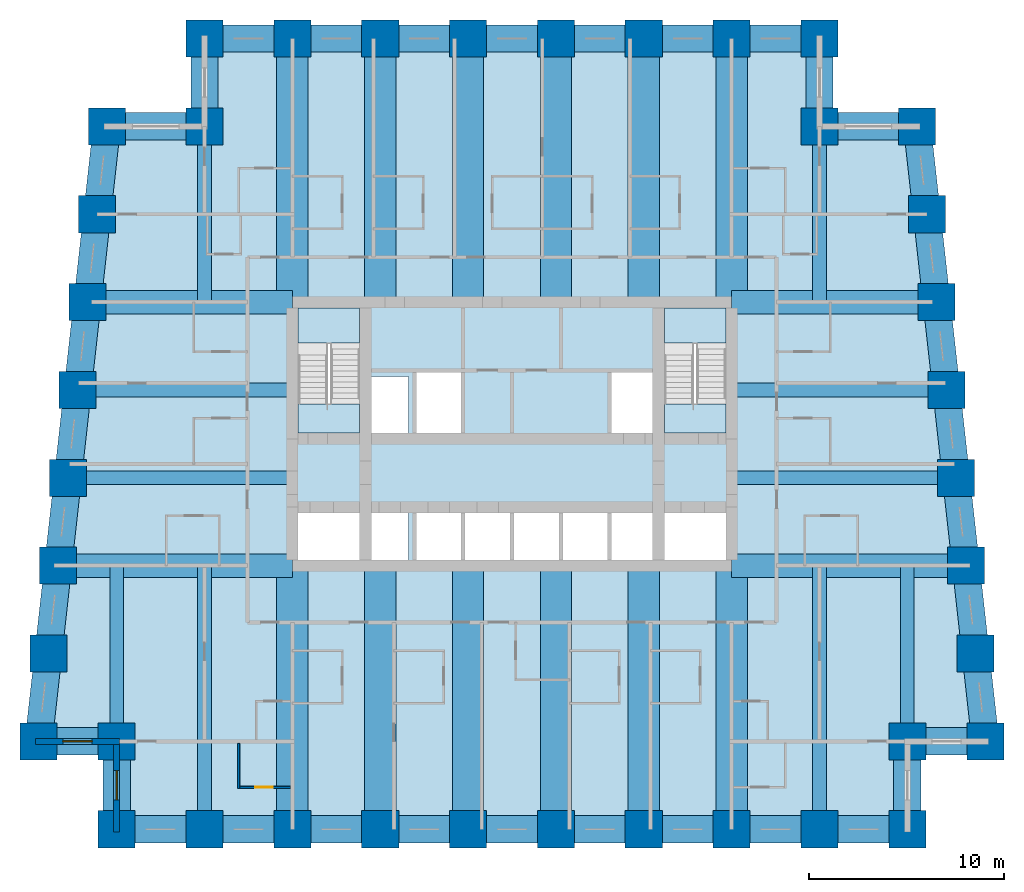
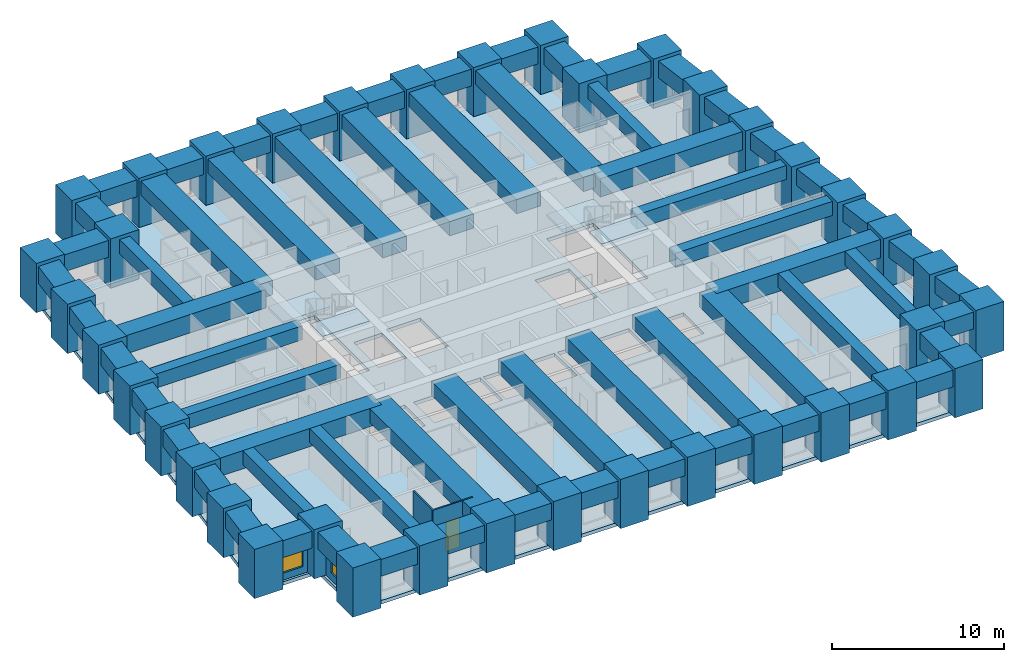
# One storey, part 1 of 8: 64 beams, 38 columns, 5 slabs, 4 walls, 2 windows, 1 door, 3 openings, 2 elements without a shape of their own.
"""IFC4 building model written with IfcOpenShell, lengths in metres."""

import ifcopenshell
import ifcopenshell.guid

model = None  # the IFC model being written
_history = None  # IfcOwnerHistory: only IFC2X3 demands one
_inside = {}  # id of a spatial element -> (the spatial element, [elements in it])
_under = {}  # id of a project, library or spatial element -> (it, [spatial elements below it])
_declared = {}  # id of a project -> (the project, [libraries it declares])
_typed = {}  # id of a type object -> (the type object, [elements of that type])
_made_of = {}  # id of a material, layer set ... -> (it, [elements and type objects made of it])


def new_model(schema):
    """Start an empty IFC model of exactly this schema.

    Asked for "IFC4X3", IfcOpenShell would pick the latest addendum, in which some entities
    have other attributes; the version numbers below select the first issue.
    IFC2X3 requires an IfcOwnerHistory on every rooted entity: one is made here for all.
    """
    global model, _history
    if schema == "IFC4X3":
        model = ifcopenshell.file(schema_version=(4, 3, 0, 0))
    else:
        model = ifcopenshell.file(schema=schema)
    _inside.clear()
    _under.clear()
    _declared.clear()
    _typed.clear()
    _made_of.clear()
    _history = None
    if model.schema == "IFC2X3":
        org = make("IfcOrganization", Name="unknown")
        user = make(
            "IfcPersonAndOrganization",
            ThePerson=make("IfcPerson", FamilyName="unknown"),
            TheOrganization=org,
        )
        app = make(
            "IfcApplication",
            ApplicationDeveloper=org,
            Version="unknown",
            ApplicationFullName="unknown",
            ApplicationIdentifier="unknown",
        )
        _history = make(
            "IfcOwnerHistory",
            OwningUser=user,
            OwningApplication=app,
            ChangeAction="ADDED",
            CreationDate=0,
        )
    return model


def make(cls, **values):
    """One entity of the class cls with the attributes given. An attribute that is None is left unset."""
    return model.create_entity(
        cls, **{name: value for name, value in values.items() if value is not None}
    )


def rooted(cls, **values):
    """An entity with a GlobalId (a new one), such as an element, a storey or a relation."""
    return make(cls, GlobalId=ifcopenshell.guid.new(), OwnerHistory=_history, **values)


def si_unit(unit_type, name, prefix=None):
    """IfcSIUnit, for example si_unit("LENGTHUNIT", "METRE", prefix="MILLI")."""
    return make("IfcSIUnit", UnitType=unit_type, Prefix=prefix, Name=name)


def assignment(units):
    """IfcUnitAssignment: the units of a project."""
    return None if units is None else make("IfcUnitAssignment", Units=units)


def point(xyz):
    """IfcCartesianPoint."""
    return None if xyz is None else make("IfcCartesianPoint", Coordinates=xyz)


def direction(xyz):
    """IfcDirection."""
    return None if xyz is None else make("IfcDirection", DirectionRatios=xyz)


def frame(location, z_axis=None, x_axis=None):
    """IfcAxis2Placement3D, a coordinate frame: its origin and axes. An axis left out is left unset."""
    return make(
        "IfcAxis2Placement3D",
        Location=point(location),
        Axis=direction(z_axis),
        RefDirection=direction(x_axis),
    )


def frame_2d(location, x_axis=None):
    """IfcAxis2Placement2D, a coordinate frame in the plane: its origin and x axis."""
    return make(
        "IfcAxis2Placement2D", Location=point(location), RefDirection=direction(x_axis)
    )


def origin():
    """The frame at (0, 0, 0) with its axes left unset."""
    return frame((0.0, 0.0, 0.0))


def origin_2d():
    """The frame at (0, 0) in the plane with its x axis left unset."""
    return frame_2d((0.0, 0.0))


def place(relative_to, where):
    """IfcLocalPlacement: puts the frame where relative to a parent placement (None: the world)."""
    return make(
        "IfcLocalPlacement", PlacementRelTo=relative_to, RelativePlacement=where
    )


def context(
    kind, dimensions, precision=None, world=None, true_north=None, identifier=None
):
    """IfcGeometricRepresentationContext, for example the 3D "Model" context."""
    return make(
        "IfcGeometricRepresentationContext",
        ContextIdentifier=identifier,
        ContextType=kind,
        CoordinateSpaceDimension=dimensions,
        Precision=precision,
        WorldCoordinateSystem=world,
        TrueNorth=true_north,
    )


def subcontext(parent, identifier, kind, view, scale=None):
    """IfcGeometricRepresentationSubContext, for example "Body" below "Model"."""
    return make(
        "IfcGeometricRepresentationSubContext",
        ContextIdentifier=identifier,
        ContextType=kind,
        ParentContext=parent,
        TargetScale=scale,
        TargetView=view,
    )


def project(units=None, contexts=None):
    """IfcProject with its units and contexts."""
    return rooted(
        "IfcProject",
        Name="project",
        RepresentationContexts=contexts,
        UnitsInContext=assignment(units),
    )


def spatial(cls, under=None, at=None, **own):
    """A site, building, storey or space (cls), placed at a placement, below another one or the project."""
    s = rooted(cls, ObjectPlacement=at, **own)
    if under is not None:
        _under.setdefault(under.id(), (under, []))[1].append(s)
    return s


def polyline(points):
    """IfcPolyline through the points."""
    return make("IfcPolyline", Points=[point(p) for p in points])


def profile(cls, at=None, kind="AREA", **sizes):
    """A parametric profile (cls). Its sizes go by their IFC names, for example OverallWidth=200.0."""
    return make(cls, ProfileType=kind, Position=at, **sizes)


def rectangle(**sizes):
    """IfcRectangleProfileDef."""
    return profile("IfcRectangleProfileDef", **sizes)


def outline(outer, holes=None, kind="AREA"):
    """IfcArbitraryClosedProfileDef: a profile drawn as a closed curve; with holes, ...WithVoids."""
    if holes is None:
        return make("IfcArbitraryClosedProfileDef", ProfileType=kind, OuterCurve=outer)
    return make(
        "IfcArbitraryProfileDefWithVoids",
        ProfileType=kind,
        OuterCurve=outer,
        InnerCurves=holes,
    )


def extrude(swept, where, along, depth):
    """IfcExtrudedAreaSolid: the profile swept, set in the frame where, extruded along a direction by depth."""
    return make(
        "IfcExtrudedAreaSolid",
        SweptArea=swept,
        Position=where,
        ExtrudedDirection=direction(along),
        Depth=depth,
    )


def shape(context_of_items, identifier, shape_type, items):
    """IfcShapeRepresentation: the items that make up one representation, for example the "Body"."""
    return make(
        "IfcShapeRepresentation",
        ContextOfItems=context_of_items,
        RepresentationIdentifier=identifier,
        RepresentationType=shape_type,
        Items=items,
    )


def material(Name=None, Category=None):
    """IfcMaterial."""
    return make("IfcMaterial", Name=Name, Category=Category)


def layer(
    of_material, thickness, ventilated=None, Name=None, Category=None, Priority=None
):
    """IfcMaterialLayer: one layer of a wall or slab, of a material (None: an air gap)."""
    return make(
        "IfcMaterialLayer",
        Material=of_material,
        LayerThickness=thickness,
        IsVentilated=ventilated,
        Name=Name,
        Category=Category,
        Priority=Priority,
    )


def layer_set(layers, Name=None):
    """IfcMaterialLayerSet."""
    return make("IfcMaterialLayerSet", MaterialLayers=layers, LayerSetName=Name)


def material_profile(
    of_material, cross_section, Name=None, Category=None, Priority=None
):
    """IfcMaterialProfile: a cross section and its material."""
    return make(
        "IfcMaterialProfile",
        Name=Name,
        Material=of_material,
        Profile=cross_section,
        Priority=Priority,
        Category=Category,
    )


def profile_set(profiles, Name=None, composite=None):
    """IfcMaterialProfileSet."""
    return make(
        "IfcMaterialProfileSet",
        Name=Name,
        MaterialProfiles=profiles,
        CompositeProfile=composite,
    )


def made_of(thing, what):
    """Note that an element or type object is made of a material, layer set ...; save() writes the relation."""
    if what is not None:
        _made_of.setdefault(what.id(), (what, []))[1].append(thing)
    return thing


def type_object(cls, material=None, **own):
    """A type object (cls), such as IfcWallType, which elements share."""
    return made_of(rooted(cls, **own), material)


def element(
    cls,
    number,
    at=None,
    inside=None,
    cuts=None,
    type_object=None,
    material=None,
    context=None,
    identifier="Body",
    shape_type=None,
    held_by="IfcProductDefinitionShape",
    body=None,
    shapes=None,
    **own,
):
    """One element of the class cls, such as IfcWall. Its Tag is "e" and its number.

    at: its placement. inside: the storey or other place that contains it. cuts: it is an
    opening in that element (IfcRelVoidsElement). A single representation is given by context,
    identifier, shape_type and body (its items); several are given by shapes. held_by: the class
    of the entity that holds the representations. save() writes the other relations.
    """
    e = rooted(cls, Tag="e%d" % number, ObjectPlacement=at, **own)
    if body is not None:
        shapes = [shape(context, identifier, shape_type, body)]
    if shapes is not None:
        e.Representation = make(held_by, Representations=shapes)
    if inside is not None:
        _inside.setdefault(inside.id(), (inside, []))[1].append(e)
    if cuts is not None:
        rooted(
            "IfcRelVoidsElement", RelatingBuildingElement=cuts, RelatedOpeningElement=e
        )
    if type_object is not None:
        _typed.setdefault(type_object.id(), (type_object, []))[1].append(e)
    return made_of(e, material)


def fill(opening, filler):
    """IfcRelFillsElement: the door or window that sits in an opening."""
    return rooted(
        "IfcRelFillsElement",
        RelatingOpeningElement=opening,
        RelatedBuildingElement=filler,
    )


def aggregate(whole, parts):
    """IfcRelAggregates: a whole, such as a stair, and the parts it consists of."""
    return rooted("IfcRelAggregates", RelatingObject=whole, RelatedObjects=parts)


def save(model, path):
    """Write the relations noted so far, then the file.

    IfcRelAggregates (storeys below a building ...), IfcRelContainedInSpatialStructure (elements
    in a storey), IfcRelDefinesByType, IfcRelAssociatesMaterial and IfcRelDeclares: one each for
    every whole, place, type object, material and project.
    """
    for whole, parts in _under.values():
        aggregate(whole, parts)
    for where, things in _inside.values():
        rooted(
            "IfcRelContainedInSpatialStructure",
            RelatedElements=things,
            RelatingStructure=where,
        )
    for kind, things in _typed.values():
        rooted("IfcRelDefinesByType", RelatedObjects=things, RelatingType=kind)
    for what, things in _made_of.values():
        rooted("IfcRelAssociatesMaterial", RelatedObjects=things, RelatingMaterial=what)
    for by, libraries in _declared.values():
        rooted("IfcRelDeclares", RelatingContext=by, RelatedDefinitions=libraries)
    model.write(path)


model = new_model("IFC4")

# Units and contexts
model_context = context("Model", 3, precision=1e-05, world=origin(), true_north=direction((0.0, 1.0)))
body_context = subcontext(model_context, "Body", "Model", "MODEL_VIEW")
ifc_project = project(units=[si_unit("LENGTHUNIT", "METRE"), si_unit("AREAUNIT", "SQUARE_METRE"), si_unit("VOLUMEUNIT", "CUBIC_METRE"), si_unit("PLANEANGLEUNIT", "RADIAN"), si_unit("MASSUNIT", "GRAM", prefix="KILO")], contexts=[model_context])

# Site, building, storey
site_placement = place(None, origin())
site = spatial("IfcSite", under=ifc_project, at=site_placement, CompositionType="ELEMENT")
building_placement = place(site_placement, origin())
building = spatial("IfcBuilding", under=site, at=building_placement, Name="Kilele Tower Hotel", CompositionType="ELEMENT")
storey_placement = place(building_placement, frame((0.0, 0.0, 47.199951171875)))
storey = spatial("IfcBuildingStorey", under=building, at=storey_placement, Name="L10", CompositionType="ELEMENT", Elevation=47.199951171875)

# Columns
ifc_material_1 = material(Name="Concrete C80/95", Category="concrete")
ifc_material_profile_1 = material_profile(ifc_material_1, rectangle(XDim=1.89990234375, YDim=1.89990234375, at=origin_2d()))
ifc_profile_set_1 = profile_set([ifc_material_profile_1], Name="Concrete C80/95")
column_type = type_object("IfcColumnType", Name="Tube column RC 1900x1900 C80/95", PredefinedType="COLUMN", material=ifc_profile_set_1)
for number, where, z_axis, x_axis, name in (
    (1, (0.5, 4.5, 0.0), (0.0, 0.0, 1.0), (1.0, 0.0, 0.0), "Column TC1 L10"),
    (2, (4.5, 4.5, 0.0), (0.0, 0.0, 1.0), (1.0, 0.0, 0.0), "Column TC1 L10"),
    (3, (4.5, 0.0, 0.0), (0.0, 0.0, 1.0), (1.0, 0.0, 0.0), "Column TC1 L10"),
    (4, (9.0, 0.0, 0.0), (0.0, 0.0, 1.0), (1.0, 0.0, 0.0), "Column TC1 L10"),
    (5, (13.5, 0.0, 0.0), (0.0, 0.0, 1.0), (1.0, 0.0, 0.0), "Column TC1 L10"),
    (6, (18.0, 0.0, 0.0), (0.0, 0.0, 1.0), (1.0, 0.0, 0.0), "Column TC1 L10"),
    (7, (22.5, 0.0, 0.0), (0.0, 0.0, 1.0), (1.0, 0.0, 0.0), "Column TC1 L10"),
    (8, (27.0, 0.0, 0.0), (0.0, 0.0, 1.0), (1.0, 0.0, 0.0), "Column TC1 L10"),
    (9, (31.5, 0.0, 0.0), (0.0, 0.0, 1.0), (1.0, 0.0, 0.0), "Column TC1 L10"),
    (10, (36.0, 0.0, 0.0), (0.0, 0.0, 1.0), (1.0, 0.0, 0.0), "Column TC1 L10"),
    (11, (40.5, 0.0, 0.0), (0.0, 0.0, 1.0), (1.0, 0.0, 0.0), "Column TC1 L10"),
    (12, (45.0, 0.0, 0.0), (0.0, 0.0, 1.0), (1.0, 0.0, 0.0), "Column TC1 L10"),
    (13, (45.0, 4.5, 0.0), (0.0, 0.0, 1.0), (1.0, 0.0, 0.0), "Column TC1 L10"),
    (14, (49.0, 4.5, 0.0), (0.0, 0.0, 1.0), (1.0, 0.0, 0.0), "Column TC1 L10"),
    (15, (48.5, 9.0, 0.0), (0.0, 0.0, 1.0), (1.0, 0.0, 0.0), "Column TC1 L10"),
    (16, (48.0, 13.5, 0.0), (0.0, 0.0, 1.0), (1.0, 0.0, 0.0), "Column TC1 L10"),
    (17, (47.5, 18.0, 0.0), (0.0, 0.0, 1.0), (1.0, 0.0, 0.0), "Column TC1 L10"),
    (18, (47.0, 22.5, 0.0), (0.0, 0.0, 1.0), (1.0, 0.0, 0.0), "Column TC1 L10"),
    (19, (46.5, 27.0, 0.0), (0.0, 0.0, 1.0), (1.0, 0.0, 0.0), "Column TC1 L10"),
    (20, (46.0, 31.5, 0.0), (0.0, 0.0, 1.0), (1.0, 0.0, 0.0), "Column TC1 L10"),
    (21, (45.5, 36.0, 0.0), (0.0, 0.0, 1.0), (1.0, 0.0, 0.0), "Column TC1 L10"),
    (22, (40.5, 36.0, 0.0), (0.0, 0.0, 1.0), (1.0, 0.0, 0.0), "Column TC1 L10"),
    (23, (40.5, 40.5, 0.0), (0.0, 0.0, 1.0), (1.0, 0.0, 0.0), "Column TC1 L10"),
    (24, (36.0, 40.5, 0.0), (0.0, 0.0, 1.0), (1.0, 0.0, 0.0), "Column TC1 L10"),
    (25, (31.5, 40.5, 0.0), (0.0, 0.0, 1.0), (1.0, 0.0, 0.0), "Column TC1 L10"),
    (26, (27.0, 40.5, 0.0), (0.0, 0.0, 1.0), (1.0, 0.0, 0.0), "Column TC1 L10"),
    (27, (22.5, 40.5, 0.0), (0.0, 0.0, 1.0), (1.0, 0.0, 0.0), "Column TC1 L10"),
    (28, (18.0, 40.5, 0.0), (0.0, 0.0, 1.0), (1.0, 0.0, 0.0), "Column TC1 L10"),
    (29, (13.5, 40.5, 0.0), (0.0, 0.0, 1.0), (1.0, 0.0, 0.0), "Column TC1 L10"),
    (30, (9.0, 40.5, 0.0), (0.0, 0.0, 1.0), (1.0, 0.0, 0.0), "Column TC1 L10"),
    (31, (9.0, 36.0, 0.0), (0.0, 0.0, 1.0), (1.0, 0.0, 0.0), "Column TC1 L10"),
    (32, (4.0, 36.0, 0.0), (0.0, 0.0, 1.0), (1.0, 0.0, 0.0), "Column TC1 L10"),
    (33, (3.5, 31.5, 0.0), (0.0, 0.0, 1.0), (1.0, 0.0, 0.0), "Column TC1 L10"),
    (34, (3.0, 27.0, 0.0), (0.0, 0.0, 1.0), (1.0, 0.0, 0.0), "Column TC1 L10"),
    (35, (2.5, 22.5, 0.0), (0.0, 0.0, 1.0), (1.0, 0.0, 0.0), "Column TC1 L10"),
    (36, (2.0, 18.0, 0.0), (0.0, 0.0, 1.0), (1.0, 0.0, 0.0), "Column TC1 L10"),
    (37, (1.5, 13.5, 0.0), (0.0, 0.0, 1.0), (1.0, 0.0, 0.0), "Column TC1 L10"),
    (38, (1.0, 9.0, 0.0), (0.0, 0.0, 1.0), (1.0, 0.0, 0.0), "Column TC1 L10"),
):
    element("IfcColumn", number, at=place(storey_placement, frame(where, z_axis=z_axis, x_axis=x_axis)), inside=storey, type_object=column_type, Name=name, PredefinedType="COLUMN", context=body_context, shape_type="SweptSolid", body=[
        extrude(rectangle(XDim=1.89990234375, YDim=1.89990234375, at=origin_2d()), origin(), (0.0, 0.0, 1.0), 3.5),
    ])

# Beams
ifc_material_2 = material(Name="Concrete C60/75", Category="concrete")
ifc_material_profile_2 = material_profile(ifc_material_2, rectangle(XDim=1.60009765625, YDim=1.0, at=origin_2d()))
ifc_profile_set_2 = profile_set([ifc_material_profile_2], Name="Concrete C60/75")
beam_type_1 = type_object("IfcBeamType", Name="Beam RC 1600x1000 C60/75", PredefinedType="BEAM", material=ifc_profile_set_2)
for number, where, z_axis, x_axis, name in (
    (39, (13.5, 0.0, 2.75), (0.0, 1.0, 0.0), (-1.0, 0.0, 0.0), "Beam BC1 level L11"),
    (40, (18.0, 0.0, 2.75), (0.0, 1.0, 0.0), (-1.0, 0.0, 0.0), "Beam BC1 level L11"),
    (41, (22.5, 0.0, 2.75), (0.0, 1.0, 0.0), (-1.0, 0.0, 0.0), "Beam BC1 level L11"),
    (42, (27.0, 0.0, 2.75), (0.0, 1.0, 0.0), (-1.0, 0.0, 0.0), "Beam BC1 level L11"),
    (43, (31.5, 0.0, 2.75), (0.0, 1.0, 0.0), (-1.0, 0.0, 0.0), "Beam BC1 level L11"),
    (44, (36.0, 0.0, 2.75), (0.0, 1.0, 0.0), (-1.0, 0.0, 0.0), "Beam BC1 level L11"),
    (45, (36.0, 40.5, 2.75), (0.0, -1.0, 0.0), (1.0, 0.0, 0.0), "Beam BC1 level L11"),
    (46, (31.5, 40.5, 2.75), (0.0, -1.0, 0.0), (1.0, 0.0, 0.0), "Beam BC1 level L11"),
    (47, (27.0, 40.5, 2.75), (0.0, -1.0, 0.0), (1.0, 0.0, 0.0), "Beam BC1 level L11"),
    (48, (22.5, 40.5, 2.75), (0.0, -1.0, 0.0), (1.0, 0.0, 0.0), "Beam BC1 level L11"),
    (49, (18.0, 40.5, 2.75), (0.0, -1.0, 0.0), (1.0, 0.0, 0.0), "Beam BC1 level L11"),
    (50, (13.5, 40.5, 2.75), (0.0, -1.0, 0.0), (1.0, 0.0, 0.0), "Beam BC1 level L11"),
):
    element("IfcBeam", number, at=place(storey_placement, frame(where, z_axis=z_axis, x_axis=x_axis)), inside=storey, type_object=beam_type_1, Name=name, PredefinedType="BEAM", context=body_context, shape_type="SweptSolid", body=[
        extrude(rectangle(XDim=1.60009765625, YDim=1.0, at=origin_2d()), origin(), (0.0, 0.0, 1.0), 13.5),
    ])
ifc_material_3 = material(Name="Concrete C60/75", Category="concrete")
ifc_material_profile_3 = material_profile(ifc_material_3, rectangle(XDim=0.699951171875, YDim=1.0, at=origin_2d()))
ifc_profile_set_3 = profile_set([ifc_material_profile_3], Name="Concrete C60/75")
beam_type_2 = type_object("IfcBeamType", Name="Beam RC 700x1000 C60/75", PredefinedType="BEAM", material=ifc_profile_set_3)
for number, where, z_axis, x_axis, name in (
    (51, (9.0, 0.0, 2.75), (0.0, 1.0, 0.0), (-1.0, 0.0, 0.0), "Beam B4 level L11"),
    (52, (40.5, 0.0, 2.75), (0.0, 1.0, 0.0), (-1.0, 0.0, 0.0), "Beam B4 level L11"),
):
    element("IfcBeam", number, at=place(storey_placement, frame(where, z_axis=z_axis, x_axis=x_axis)), inside=storey, type_object=beam_type_2, Name=name, PredefinedType="BEAM", context=body_context, shape_type="SweptSolid", body=[
        extrude(rectangle(XDim=0.699951171875, YDim=1.0, at=origin_2d()), origin(), (0.0, 0.0, 1.0), 13.5),
    ])
ifc_material_4 = material(Name="Concrete C60/75", Category="concrete")
ifc_material_profile_4 = material_profile(ifc_material_4, rectangle(XDim=0.699951171875, YDim=1.0, at=origin_2d()))
ifc_profile_set_4 = profile_set([ifc_material_profile_4], Name="Concrete C60/75")
beam_type_3 = type_object("IfcBeamType", Name="Beam RC 700x1000 C60/75 mid span", PredefinedType="BEAM", material=ifc_profile_set_4)
for number, where, z_axis, x_axis, name in (
    (53, (4.5, 4.5, 2.75), (0.0, 1.0, 0.0), (-1.0, 0.0, 0.0), "Beam B5 level L11"),
    (54, (45.0, 4.5, 2.75), (0.0, 1.0, 0.0), (-1.0, 0.0, 0.0), "Beam B5 level L11"),
):
    element("IfcBeam", number, at=place(storey_placement, frame(where, z_axis=z_axis, x_axis=x_axis)), inside=storey, type_object=beam_type_3, Name=name, PredefinedType="BEAM", context=body_context, shape_type="SweptSolid", body=[
        extrude(rectangle(XDim=0.699951171875, YDim=1.0, at=origin_2d()), origin(), (0.0, 0.0, 1.0), 9.0),
    ])
beam_1_placement = place(storey_placement, frame((47.5, 18.0, 2.75), z_axis=(-1.0, 0.0, 0.0), x_axis=(0.0, -1.0, 0.0)))
element("IfcBeam", 55, at=beam_1_placement, inside=storey, type_object=beam_type_3, Name="Beam B5 level L11", PredefinedType="BEAM", context=body_context, shape_type="SweptSolid", body=[
    extrude(rectangle(XDim=0.699951171875, YDim=1.0, at=origin_2d()), origin(), (0.0, 0.0, 1.0), 11.5),
])
beam_2_placement = place(storey_placement, frame((47.0, 22.5, 2.75), z_axis=(-1.0, 0.0, 0.0), x_axis=(0.0, -1.0, 0.0)))
element("IfcBeam", 56, at=beam_2_placement, inside=storey, type_object=beam_type_3, Name="Beam B5 level L11", PredefinedType="BEAM", context=body_context, shape_type="SweptSolid", body=[
    extrude(rectangle(XDim=0.699951171875, YDim=1.0, at=origin_2d()), origin(), (0.0, 0.0, 1.0), 11.0),
])
for number, where, z_axis, x_axis, name in (
    (57, (40.5, 36.0, 2.75), (0.0, -1.0, 0.0), (1.0, 0.0, 0.0), "Beam B5 level L11"),
    (58, (9.0, 36.0, 2.75), (0.0, -1.0, 0.0), (1.0, 0.0, 0.0), "Beam B5 level L11"),
):
    element("IfcBeam", number, at=place(storey_placement, frame(where, z_axis=z_axis, x_axis=x_axis)), inside=storey, type_object=beam_type_3, Name=name, PredefinedType="BEAM", context=body_context, shape_type="SweptSolid", body=[
        extrude(rectangle(XDim=0.699951171875, YDim=1.0, at=origin_2d()), origin(), (0.0, 0.0, 1.0), 9.0),
    ])
beam_3_placement = place(storey_placement, frame((2.5, 22.5, 2.75), z_axis=(1.0, 0.0, 0.0), x_axis=(0.0, 1.0, 0.0)))
element("IfcBeam", 59, at=beam_3_placement, inside=storey, type_object=beam_type_3, Name="Beam B5 level L11", PredefinedType="BEAM", context=body_context, shape_type="SweptSolid", body=[
    extrude(rectangle(XDim=0.699951171875, YDim=1.0, at=origin_2d()), origin(), (0.0, 0.0, 1.0), 11.0),
])
beam_4_placement = place(storey_placement, frame((2.0, 18.0, 2.75), z_axis=(1.0, 0.0, 0.0), x_axis=(0.0, 1.0, 0.0)))
element("IfcBeam", 60, at=beam_4_placement, inside=storey, type_object=beam_type_3, Name="Beam B5 level L11", PredefinedType="BEAM", context=body_context, shape_type="SweptSolid", body=[
    extrude(rectangle(XDim=0.699951171875, YDim=1.0, at=origin_2d()), origin(), (0.0, 0.0, 1.0), 11.5),
])
ifc_material_5 = material(Name="Concrete C60/75", Category="concrete")
ifc_material_profile_5 = material_profile(ifc_material_5, rectangle(XDim=1.199951171875, YDim=1.300048828125, at=origin_2d()))
ifc_profile_set_5 = profile_set([ifc_material_profile_5], Name="Concrete C60/75")
beam_type_4 = type_object("IfcBeamType", Name="Girder RC 1200x1300 C60/75", PredefinedType="BEAM", material=ifc_profile_set_5)
for number, where, z_axis, x_axis, name in (
    (61, (48.0, 13.5, 2.60009765625), (-1.0, 0.0, 0.0), (0.0, -1.0, 0.0), "Girder G1 level L11"),
    (62, (1.5, 13.5, 2.60009765625), (1.0, 0.0, 0.0), (0.0, 1.0, 0.0), "Girder G1 level L11"),
):
    element("IfcBeam", number, at=place(storey_placement, frame(where, z_axis=z_axis, x_axis=x_axis)), inside=storey, type_object=beam_type_4, Name=name, PredefinedType="BEAM", context=body_context, shape_type="SweptSolid", body=[
        extrude(rectangle(XDim=1.199951171875, YDim=1.300048828125, at=origin_2d()), origin(), (0.0, 0.0, 1.0), 12.0),
    ])
ifc_material_6 = material(Name="Concrete C60/75", Category="concrete")
ifc_material_profile_6 = material_profile(ifc_material_6, rectangle(XDim=1.199951171875, YDim=1.300048828125, at=origin_2d()))
ifc_profile_set_6 = profile_set([ifc_material_profile_6], Name="Concrete C60/75")
beam_type_5 = type_object("IfcBeamType", Name="Girder RC 1200x1300 C60/75 mid span", PredefinedType="BEAM", material=ifc_profile_set_6)
for number, where, z_axis, x_axis, name in (
    (63, (46.5, 27.0, 2.60009765625), (-1.0, 0.0, 0.0), (0.0, -1.0, 0.0), "Girder G3 level L11"),
    (64, (3.0, 27.0, 2.60009765625), (1.0, 0.0, 0.0), (0.0, 1.0, 0.0), "Girder G3 level L11"),
):
    element("IfcBeam", number, at=place(storey_placement, frame(where, z_axis=z_axis, x_axis=x_axis)), inside=storey, type_object=beam_type_5, Name=name, PredefinedType="BEAM", context=body_context, shape_type="SweptSolid", body=[
        extrude(rectangle(XDim=1.199951171875, YDim=1.300048828125, at=origin_2d()), origin(), (0.0, 0.0, 1.0), 10.5),
    ])
ifc_material_7 = material(Name="Concrete C60/75", Category="concrete")
ifc_material_profile_7 = material_profile(ifc_material_7, rectangle(XDim=1.39990234375, YDim=1.199951171875, at=origin_2d()))
ifc_profile_set_7 = profile_set([ifc_material_profile_7], Name="Concrete C60/75")
beam_type_6 = type_object("IfcBeamType", Name="Spandrel RC 1400x1200 C60/75", PredefinedType="SPANDREL", material=ifc_profile_set_7)
beam_5_placement = place(storey_placement, frame((0.5, 4.5, 2.650146484375), z_axis=(1.0, 0.0, 0.0), x_axis=(0.0, 1.0, 0.0)))
element("IfcBeam", 65, at=beam_5_placement, inside=storey, type_object=beam_type_6, Name="Spandrel SP10 level L11", PredefinedType="SPANDREL", context=body_context, shape_type="SweptSolid", body=[
    extrude(rectangle(XDim=1.39990234375, YDim=1.199951171875, at=origin_2d()), origin(), (0.0, 0.0, 1.0), 4.0),
])
for number, where, z_axis, x_axis, name in (
    (66, (4.5, 4.5, 2.650146484375), (0.0, -1.0, 0.0), (1.0, 0.0, 0.0), "Spandrel SP10 level L11"),
    (67, (4.5, 0.0, 2.650146484375), (1.0, 0.0, 0.0), (0.0, 1.0, 0.0), "Spandrel SP10 level L11"),
    (68, (9.0, 0.0, 2.650146484375), (1.0, 0.0, 0.0), (0.0, 1.0, 0.0), "Spandrel SP10 level L11"),
    (69, (13.5, 0.0, 2.650146484375), (1.0, 0.0, 0.0), (0.0, 1.0, 0.0), "Spandrel SP10 level L11"),
    (70, (18.0, 0.0, 2.650146484375), (1.0, 0.0, 0.0), (0.0, 1.0, 0.0), "Spandrel SP10 level L11"),
    (71, (22.5, 0.0, 2.650146484375), (1.0, 0.0, 0.0), (0.0, 1.0, 0.0), "Spandrel SP10 level L11"),
    (72, (27.0, 0.0, 2.650146484375), (1.0, 0.0, 0.0), (0.0, 1.0, 0.0), "Spandrel SP10 level L11"),
    (73, (31.5, 0.0, 2.650146484375), (1.0, 0.0, 0.0), (0.0, 1.0, 0.0), "Spandrel SP10 level L11"),
    (74, (36.0, 0.0, 2.650146484375), (1.0, 0.0, 0.0), (0.0, 1.0, 0.0), "Spandrel SP10 level L11"),
    (75, (40.5, 0.0, 2.650146484375), (1.0, 0.0, 0.0), (0.0, 1.0, 0.0), "Spandrel SP10 level L11"),
    (76, (45.0, 0.0, 2.650146484375), (0.0, 1.0, 0.0), (-1.0, 0.0, 0.0), "Spandrel SP10 level L11"),
):
    element("IfcBeam", number, at=place(storey_placement, frame(where, z_axis=z_axis, x_axis=x_axis)), inside=storey, type_object=beam_type_6, Name=name, PredefinedType="SPANDREL", context=body_context, shape_type="SweptSolid", body=[
        extrude(rectangle(XDim=1.39990234375, YDim=1.199951171875, at=origin_2d()), origin(), (0.0, 0.0, 1.0), 4.5),
    ])
beam_6_placement = place(storey_placement, frame((45.0, 4.5, 2.650146484375), z_axis=(1.0, 0.0, 0.0), x_axis=(0.0, 1.0, 0.0)))
element("IfcBeam", 77, at=beam_6_placement, inside=storey, type_object=beam_type_6, Name="Spandrel SP10 level L11", PredefinedType="SPANDREL", context=body_context, shape_type="SweptSolid", body=[
    extrude(rectangle(XDim=1.39990234375, YDim=1.199951171875, at=origin_2d()), origin(), (0.0, 0.0, 1.0), 4.0),
])
for number, where, z_axis, x_axis, name in (
    (78, (49.0, 4.5, 2.650146484375), (-0.110431526075, 0.993883734674, 0.0), (-0.993883734674, -0.110431526075, 0.0), "Spandrel SP10 level L11"),
    (79, (48.5, 9.0, 2.650146484375), (-0.110431526075, 0.993883734674, 0.0), (-0.993883734674, -0.110431526075, 0.0), "Spandrel SP10 level L11"),
    (80, (48.0, 13.5, 2.650146484375), (-0.110431526075, 0.993883734674, 0.0), (-0.993883734674, -0.110431526075, 0.0), "Spandrel SP10 level L11"),
    (81, (47.5, 18.0, 2.650146484375), (-0.110431526075, 0.993883734674, 0.0), (-0.993883734674, -0.110431526075, 0.0), "Spandrel SP10 level L11"),
    (82, (47.0, 22.5, 2.650146484375), (-0.110431526075, 0.993883734674, 0.0), (-0.993883734674, -0.110431526075, 0.0), "Spandrel SP10 level L11"),
    (83, (46.5, 27.0, 2.650146484375), (-0.110431526075, 0.993883734674, 0.0), (-0.993883734674, -0.110431526075, 0.0), "Spandrel SP10 level L11"),
    (84, (46.0, 31.5, 2.650146484375), (-0.110431526075, 0.993883734674, 0.0), (-0.993883734674, -0.110431526075, 0.0), "Spandrel SP10 level L11"),
):
    element("IfcBeam", number, at=place(storey_placement, frame(where, z_axis=z_axis, x_axis=x_axis)), inside=storey, type_object=beam_type_6, Name=name, PredefinedType="SPANDREL", context=body_context, shape_type="SweptSolid", body=[
        extrude(rectangle(XDim=1.39990234375, YDim=1.199951171875, at=origin_2d()), origin(), (0.0, 0.0, 1.0), 4.527587890625),
    ])
beam_7_placement = place(storey_placement, frame((45.5, 36.0, 2.650146484375), z_axis=(-1.0, 0.0, 0.0), x_axis=(0.0, -1.0, 0.0)))
element("IfcBeam", 85, at=beam_7_placement, inside=storey, type_object=beam_type_6, Name="Spandrel SP10 level L11", PredefinedType="SPANDREL", context=body_context, shape_type="SweptSolid", body=[
    extrude(rectangle(XDim=1.39990234375, YDim=1.199951171875, at=origin_2d()), origin(), (0.0, 0.0, 1.0), 5.0),
])
for number, where, z_axis, x_axis, name in (
    (86, (40.5, 36.0, 2.650146484375), (0.0, 1.0, 0.0), (-1.0, 0.0, 0.0), "Spandrel SP10 level L11"),
    (87, (40.5, 40.5, 2.650146484375), (-1.0, 0.0, 0.0), (0.0, -1.0, 0.0), "Spandrel SP10 level L11"),
    (88, (36.0, 40.5, 2.650146484375), (-1.0, 0.0, 0.0), (0.0, -1.0, 0.0), "Spandrel SP10 level L11"),
    (89, (31.5, 40.5, 2.650146484375), (-1.0, 0.0, 0.0), (0.0, -1.0, 0.0), "Spandrel SP10 level L11"),
    (90, (27.0, 40.5, 2.650146484375), (-1.0, 0.0, 0.0), (0.0, -1.0, 0.0), "Spandrel SP10 level L11"),
    (91, (22.5, 40.5, 2.650146484375), (-1.0, 0.0, 0.0), (0.0, -1.0, 0.0), "Spandrel SP10 level L11"),
    (92, (18.0, 40.5, 2.650146484375), (-1.0, 0.0, 0.0), (0.0, -1.0, 0.0), "Spandrel SP10 level L11"),
    (93, (13.5, 40.5, 2.650146484375), (-1.0, 0.0, 0.0), (0.0, -1.0, 0.0), "Spandrel SP10 level L11"),
    (94, (9.0, 40.5, 2.650146484375), (0.0, -1.0, 0.0), (1.0, 0.0, 0.0), "Spandrel SP10 level L11"),
):
    element("IfcBeam", number, at=place(storey_placement, frame(where, z_axis=z_axis, x_axis=x_axis)), inside=storey, type_object=beam_type_6, Name=name, PredefinedType="SPANDREL", context=body_context, shape_type="SweptSolid", body=[
        extrude(rectangle(XDim=1.39990234375, YDim=1.199951171875, at=origin_2d()), origin(), (0.0, 0.0, 1.0), 4.5),
    ])
beam_8_placement = place(storey_placement, frame((9.0, 36.0, 2.650146484375), z_axis=(-1.0, 0.0, 0.0), x_axis=(0.0, -1.0, 0.0)))
element("IfcBeam", 95, at=beam_8_placement, inside=storey, type_object=beam_type_6, Name="Spandrel SP10 level L11", PredefinedType="SPANDREL", context=body_context, shape_type="SweptSolid", body=[
    extrude(rectangle(XDim=1.39990234375, YDim=1.199951171875, at=origin_2d()), origin(), (0.0, 0.0, 1.0), 5.0),
])
for number, where, z_axis, x_axis, name in (
    (96, (4.0, 36.0, 2.650146484375), (-0.110431526075, -0.993883734674, 0.0), (0.993883734674, -0.110431526075, 0.0), "Spandrel SP10 level L11"),
    (97, (3.5, 31.5, 2.650146484375), (-0.110431526075, -0.993883734674, 0.0), (0.993883734674, -0.110431526075, 0.0), "Spandrel SP10 level L11"),
    (98, (3.0, 27.0, 2.650146484375), (-0.110431526075, -0.993883734674, 0.0), (0.993883734674, -0.110431526075, 0.0), "Spandrel SP10 level L11"),
    (99, (2.5, 22.5, 2.650146484375), (-0.110431526075, -0.993883734674, 0.0), (0.993883734674, -0.110431526075, 0.0), "Spandrel SP10 level L11"),
    (100, (2.0, 18.0, 2.650146484375), (-0.110431526075, -0.993883734674, 0.0), (0.993883734674, -0.110431526075, 0.0), "Spandrel SP10 level L11"),
    (101, (1.5, 13.5, 2.650146484375), (-0.110431526075, -0.993883734674, 0.0), (0.993883734674, -0.110431526075, 0.0), "Spandrel SP10 level L11"),
    (102, (1.0, 9.0, 2.650146484375), (-0.110431526075, -0.993883734674, 0.0), (0.993883734674, -0.110431526075, 0.0), "Spandrel SP10 level L11"),
):
    element("IfcBeam", number, at=place(storey_placement, frame(where, z_axis=z_axis, x_axis=x_axis)), inside=storey, type_object=beam_type_6, Name=name, PredefinedType="SPANDREL", context=body_context, shape_type="SweptSolid", body=[
        extrude(rectangle(XDim=1.39990234375, YDim=1.199951171875, at=origin_2d()), origin(), (0.0, 0.0, 1.0), 4.527587890625),
    ])

# Slab
ifc_material_8 = material(Name="Concrete C60/75", Category="concrete")
ifc_layer_1 = layer(ifc_material_8, 0.25)
ifc_layer_set_1 = layer_set([ifc_layer_1], Name="Concrete C60/75")
slab_type_1 = type_object("IfcSlabType", Name="Floor slab 250", PredefinedType="FLOOR", material=ifc_layer_set_1)
slab_1_placement = place(storey_placement, frame((0.0, 0.0, -0.25)))
element("IfcSlab", 103, at=slab_1_placement, inside=storey, type_object=slab_type_1, Name="Floor slab L10", PredefinedType="FLOOR", context=body_context, shape_type="SweptSolid", body=[
    extrude(outline(polyline([(8.699951171875, 36.300048828125), (8.699951171875, 40.800048828125), (40.800048828125, 40.800048828125), (40.800048828125, 36.300048828125), (45.7685546875, 36.300048828125), (49.335205078125, 4.199951171875), (45.300048828125, 4.199951171875), (45.300048828125, -0.300048828125), (4.199951171875, -0.300048828125), (4.199951171875, 4.199951171875), (0.164794921875, 4.199951171875), (3.7314453125, 36.300048828125), (8.699951171875, 36.300048828125)]), holes=[polyline([(16.949951171875, 16.199951171875), (13.800048828125, 16.199951171875), (13.800048828125, 13.800048828125), (16.949951171875, 13.800048828125), (16.949951171875, 16.199951171875)]), polyline([(19.449951171875, 13.800048828125), (19.449951171875, 16.199951171875), (17.550048828125, 16.199951171875), (17.550048828125, 13.800048828125), (19.449951171875, 13.800048828125)]), polyline([(22.14990234375, 13.800048828125), (22.14990234375, 16.39990234375), (19.85009765625, 16.39990234375), (19.85009765625, 13.800048828125), (22.14990234375, 13.800048828125)]), polyline([(24.64990234375, 16.39990234375), (22.35009765625, 16.39990234375), (22.35009765625, 13.800048828125), (24.64990234375, 13.800048828125), (24.64990234375, 16.39990234375)]), polyline([(19.449951171875, 20.300048828125), (19.449951171875, 23.199951171875), (17.550048828125, 23.199951171875), (17.550048828125, 20.300048828125), (19.449951171875, 20.300048828125)]), polyline([(22.14990234375, 20.10009765625), (22.14990234375, 23.39990234375), (19.85009765625, 23.39990234375), (19.85009765625, 20.10009765625), (22.14990234375, 20.10009765625)]), polyline([(16.949951171875, 26.699951171875), (13.800048828125, 26.699951171875), (13.800048828125, 20.300048828125), (16.949951171875, 20.300048828125), (16.949951171875, 26.699951171875)]), polyline([(35.699951171875, 13.800048828125), (35.699951171875, 16.199951171875), (32.550048828125, 16.199951171875), (32.550048828125, 13.800048828125), (35.699951171875, 13.800048828125)]), polyline([(27.14990234375, 13.800048828125), (27.14990234375, 16.39990234375), (24.85009765625, 16.39990234375), (24.85009765625, 13.800048828125), (27.14990234375, 13.800048828125)]), polyline([(29.64990234375, 13.800048828125), (29.64990234375, 16.39990234375), (27.35009765625, 16.39990234375), (27.35009765625, 13.800048828125), (29.64990234375, 13.800048828125)]), polyline([(32.14990234375, 13.800048828125), (32.14990234375, 16.39990234375), (29.85009765625, 16.39990234375), (29.85009765625, 13.800048828125), (32.14990234375, 13.800048828125)]), polyline([(32.14990234375, 20.10009765625), (32.14990234375, 23.39990234375), (29.85009765625, 23.39990234375), (29.85009765625, 20.10009765625), (32.14990234375, 20.10009765625)]), polyline([(35.699951171875, 20.300048828125), (35.699951171875, 26.699951171875), (32.550048828125, 26.699951171875), (32.550048828125, 20.300048828125), (35.699951171875, 20.300048828125)])]), origin(), (0.0, 0.0, 1.0), 0.25),
])

# Stair, slabs
ifc_material_9 = material(Name="Precast concrete C40/50", Category="concrete")
stair_type = type_object("IfcStairType", Name="Stair 1475 x 3500", PredefinedType="HALF_TURN_STAIR", material=ifc_material_9)
stair_1_placement = place(storey_placement, origin())
stair_1 = element("IfcStair", 104, at=stair_1_placement, inside=storey, type_object=stair_type, Name="Stair 1 L10", PredefinedType="HALF_TURN_STAIR")
ifc_material_10 = material(Name="Precast concrete C40/50", Category="concrete")
ifc_layer_2 = layer(ifc_material_10, 0.199951171875)
ifc_layer_set_2 = layer_set([ifc_layer_2], Name="Precast concrete C40/50")
slab_type_2 = type_object("IfcSlabType", Name="Stair landing 200", PredefinedType="LANDING", material=ifc_layer_set_2)
slab_2_placement = place(storey_placement, frame((0.0, 0.0, 1.550048828125)))
slab_2 = element("IfcSlab", 105, at=slab_2_placement, type_object=slab_type_2, Name="ST1 landing 1", PredefinedType="LANDING", context=body_context, shape_type="SweptSolid", body=[
    extrude(outline(polyline([(13.800048828125, 24.89501953125), (16.949951171875, 24.89501953125), (16.949951171875, 26.699951171875), (13.800048828125, 26.699951171875), (13.800048828125, 24.89501953125)])), origin(), (0.0, 0.0, 1.0), 0.199951171875),
])
slab_3_placement = place(storey_placement, frame((0.0, 0.0, 3.300048828125)))
slab_3 = element("IfcSlab", 106, at=slab_3_placement, type_object=slab_type_2, Name="ST1 landing 2", PredefinedType="LANDING", context=body_context, shape_type="SweptSolid", body=[
    extrude(outline(polyline([(13.800048828125, 20.300048828125), (16.949951171875, 20.300048828125), (16.949951171875, 21.77490234375), (13.800048828125, 21.77490234375), (13.800048828125, 20.300048828125)])), origin(), (0.0, 0.0, 1.0), 0.199951171875),
])
aggregate(stair_1, [slab_2, slab_3])

stair_2_placement = place(storey_placement, origin())
stair_2 = element("IfcStair", 107, at=stair_2_placement, inside=storey, type_object=stair_type, Name="Stair 2 L10", PredefinedType="HALF_TURN_STAIR")
slab_4_placement = place(storey_placement, frame((0.0, 0.0, 1.550048828125)))
slab_4 = element("IfcSlab", 108, at=slab_4_placement, type_object=slab_type_2, Name="ST2 landing 1", PredefinedType="LANDING", context=body_context, shape_type="SweptSolid", body=[
    extrude(outline(polyline([(32.550048828125, 24.89501953125), (35.699951171875, 24.89501953125), (35.699951171875, 26.699951171875), (32.550048828125, 26.699951171875), (32.550048828125, 24.89501953125)])), origin(), (0.0, 0.0, 1.0), 0.199951171875),
])
slab_5_placement = place(storey_placement, frame((0.0, 0.0, 3.300048828125)))
slab_5 = element("IfcSlab", 109, at=slab_5_placement, type_object=slab_type_2, Name="ST2 landing 2", PredefinedType="LANDING", context=body_context, shape_type="SweptSolid", body=[
    extrude(outline(polyline([(32.550048828125, 20.300048828125), (35.699951171875, 20.300048828125), (35.699951171875, 21.77490234375), (32.550048828125, 21.77490234375), (32.550048828125, 20.300048828125)])), origin(), (0.0, 0.0, 1.0), 0.199951171875),
])
aggregate(stair_2, [slab_4, slab_5])

# Wall
ifc_material_11 = material(Name="Moisture-resistant board")
ifc_layer_3 = layer(ifc_material_11, 0.10009765625)
ifc_layer_set_3 = layer_set([ifc_layer_3], Name="Moisture-resistant board")
wall_type_1 = type_object("IfcWallType", Name="Bathroom partition 100", PredefinedType="PLUMBINGWALL", material=ifc_layer_set_3)
wall_1_placement = place(storey_placement, frame((10.75, 4.39990234375, 0.0), z_axis=(0.0, 0.0, 1.0), x_axis=(0.0, -1.0, 0.0)))
element("IfcWall", 110, at=wall_1_placement, inside=storey, type_object=wall_type_1, Name="Bathroom partition 100 L10", PredefinedType="PLUMBINGWALL", context=body_context, shape_type="SweptSolid", body=[
    extrude(rectangle(XDim=2.2998046875, YDim=0.10009765625, at=frame_2d((1.14990234375, 0.0))), origin(), (0.0, 0.0, 1.0), 3.25),
])

# Wall, opening, door
wall_2_placement = place(storey_placement, frame((13.39990234375, 2.14990234375, 0.0), z_axis=(0.0, 0.0, 1.0), x_axis=(-1.0, 0.0, 0.0)))
wall_2 = element("IfcWall", 111, at=wall_2_placement, inside=storey, type_object=wall_type_1, Name="Bathroom partition 100 L10", PredefinedType="PLUMBINGWALL", context=body_context, shape_type="SweptSolid", body=[
    extrude(rectangle(XDim=2.699951171875, YDim=0.10009765625, at=frame_2d((1.35009765625, 0.0))), origin(), (0.0, 0.0, 1.0), 3.25),
])
opening_1_placement = place(wall_2_placement, frame((0.89990234375, 0.0, 0.0)))
opening_1 = element("IfcOpeningElement", 112, at=opening_1_placement, cuts=wall_2, Name="Opening D2A", PredefinedType="OPENING", context=body_context, shape_type="SweptSolid", body=[
    extrude(rectangle(XDim=0.89990234375, YDim=2.10009765625, at=frame_2d((0.449951171875, 1.050048828125))), frame((0.0, 0.06005859375, 0.0), z_axis=(0.0, -1.0, 0.0), x_axis=(1.0, 0.0, 0.0)), (0.0, 0.0, 1.0), 0.1201171875),
])
ifc_material_12 = material(Name="Timber door leaf in hardwood frame", Category="wood")
door_type = type_object("IfcDoorType", Name="Bathroom door 900", OperationType="SINGLE_SWING_LEFT", PredefinedType="DOOR", material=ifc_material_12)
door_placement = place(opening_1_placement, origin())
door = element("IfcDoor", 113, at=door_placement, inside=storey, type_object=door_type, Name="Bathroom door 1019B", OperationType="SINGLE_SWING_LEFT", OverallHeight=2.10009765625, OverallWidth=0.89990234375, PredefinedType="DOOR", context=body_context, shape_type="SweptSolid", body=[
    extrude(rectangle(XDim=0.89990234375, YDim=2.10009765625, at=frame_2d((0.449951171875, 1.050048828125))), frame((0.0, 0.02490234375, 0.0), z_axis=(0.0, -1.0, 0.0), x_axis=(1.0, 0.0, 0.0)), (0.0, 0.0, 1.0), 0.050048828125),
])
fill(opening_1, door)

# Wall, opening, window
ifc_material_13 = material(Name="Concrete C40/50 precast", Category="concrete")
ifc_layer_4 = layer(ifc_material_13, 0.260009765625, Name="Precast backing", Category="LoadBearing")
ifc_material_14 = material(Name="Reconstituted stone finish", Category="masonry")
ifc_layer_5 = layer(ifc_material_14, 0.0400390625, Name="Face mix", Category="Finish")
ifc_layer_set_4 = layer_set([ifc_layer_4, ifc_layer_5], Name="Precast concrete C40/50, reconstituted stone finish")
wall_type_2 = type_object("IfcWallType", Name="Precast stone facade wall 300", PredefinedType="STANDARD", material=ifc_layer_set_4)
wall_3_placement = place(storey_placement, frame((0.35009765625, 4.5, 0.0), z_axis=(0.0, 0.0, 1.0), x_axis=(1.0, 0.0, 0.0)))
wall_3 = element("IfcWall", 114, at=wall_3_placement, inside=storey, type_object=wall_type_2, Name="Facade wall L10 edge 1", PredefinedType="STANDARD", context=body_context, shape_type="SweptSolid", body=[
    extrude(rectangle(XDim=4.2998046875, YDim=0.300048828125, at=frame_2d((2.14990234375, 0.0))), origin(), (0.0, 0.0, 1.0), 2.050048828125),
])
opening_2_placement = place(wall_3_placement, frame((1.39990234375, 0.0, 0.5)))
opening_2 = element("IfcOpeningElement", 115, at=opening_2_placement, cuts=wall_3, Name="Opening W1", PredefinedType="OPENING", context=body_context, shape_type="SweptSolid", body=[
    extrude(rectangle(XDim=1.5, YDim=1.39990234375, at=frame_2d((0.75, 0.699951171875))), frame((0.0, 0.159912109375, 0.0), z_axis=(0.0, -1.0, 0.0), x_axis=(1.0, 0.0, 0.0)), (0.0, 0.0, 1.0), 0.320068359375),
])
ifc_material_15 = material(Name="Aluminium frame, clear double glazing", Category="aluminium")
window_type = type_object("IfcWindowType", Name="Window W1 1500 x 1400", PartitioningType="SINGLE_PANEL", PredefinedType="WINDOW", material=ifc_material_15)
window_1_placement = place(opening_2_placement, origin())
window_1 = element("IfcWindow", 116, at=window_1_placement, inside=storey, type_object=window_type, Name="Window L10", OverallHeight=1.39990234375, OverallWidth=1.5, PartitioningType="SINGLE_PANEL", PredefinedType="WINDOW", context=body_context, shape_type="SweptSolid", body=[
    extrude(rectangle(XDim=1.5, YDim=1.39990234375, at=frame_2d((0.75, 0.699951171875))), frame((0.0, 0.030029296875, 0.0), z_axis=(0.0, -1.0, 0.0), x_axis=(1.0, 0.0, 0.0)), (0.0, 0.0, 1.0), 0.06005859375),
])
fill(opening_2, window_1)

wall_4_placement = place(storey_placement, frame((4.5, 4.64990234375, 0.0), z_axis=(0.0, 0.0, 1.0), x_axis=(0.0, -1.0, 0.0)))
wall_4 = element("IfcWall", 117, at=wall_4_placement, inside=storey, type_object=wall_type_2, Name="Facade wall L10 edge 2", PredefinedType="STANDARD", context=body_context, shape_type="SweptSolid", body=[
    extrude(rectangle(XDim=4.7998046875, YDim=0.300048828125, at=frame_2d((2.39990234375, 0.0))), origin(), (0.0, 0.0, 1.0), 2.050048828125),
])
opening_3_placement = place(wall_4_placement, frame((1.64990234375, 0.0, 0.5)))
opening_3 = element("IfcOpeningElement", 118, at=opening_3_placement, cuts=wall_4, Name="Opening W1", PredefinedType="OPENING", context=body_context, shape_type="SweptSolid", body=[
    extrude(rectangle(XDim=1.5, YDim=1.39990234375, at=frame_2d((0.75, 0.699951171875))), frame((0.0, 0.159912109375, 0.0), z_axis=(0.0, -1.0, 0.0), x_axis=(1.0, 0.0, 0.0)), (0.0, 0.0, 1.0), 0.320068359375),
])
window_2_placement = place(opening_3_placement, origin())
window_2 = element("IfcWindow", 119, at=window_2_placement, inside=storey, type_object=window_type, Name="Window L10", OverallHeight=1.39990234375, OverallWidth=1.5, PartitioningType="SINGLE_PANEL", PredefinedType="WINDOW", context=body_context, shape_type="SweptSolid", body=[
    extrude(rectangle(XDim=1.5, YDim=1.39990234375, at=frame_2d((0.75, 0.699951171875))), frame((0.0, 0.030029296875, 0.0), z_axis=(0.0, -1.0, 0.0), x_axis=(1.0, 0.0, 0.0)), (0.0, 0.0, 1.0), 0.06005859375),
])
fill(opening_3, window_2)

save(model, "model.ifc")
